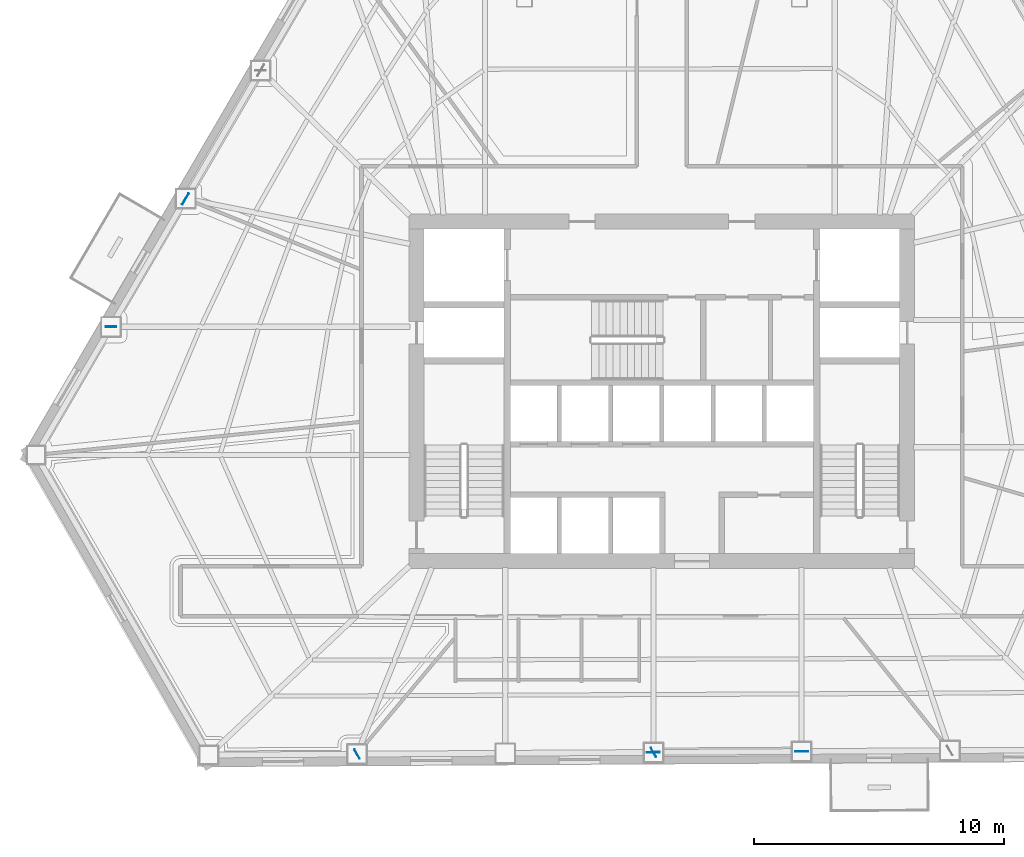
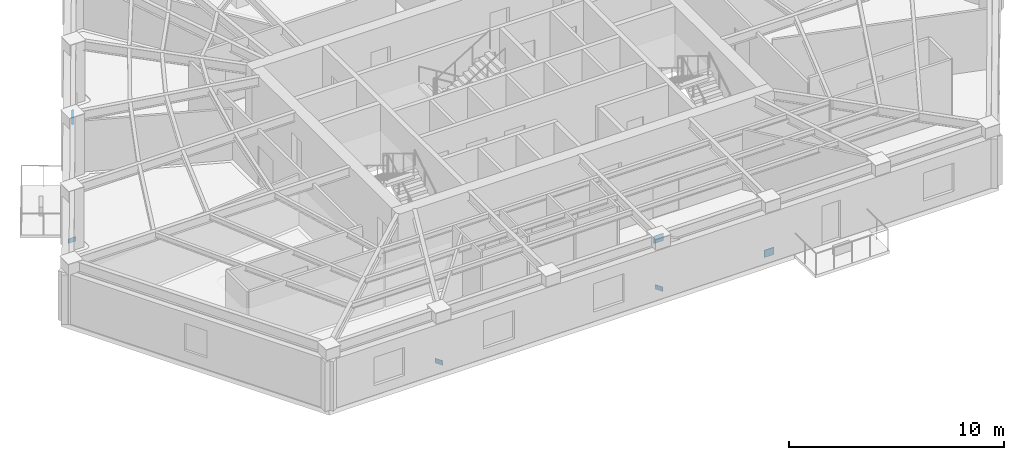
# One storey, part 4 of 14: 6 plates.
"""IFC4 building model written with IfcOpenShell, lengths in metres."""

from ifc_helpers import new_model, si_unit, direction, frame, origin, origin_2d, place, context, subcontext, project, spatial, rectangle, extrude, material, layer, layer_set, type_object, element, save


model = new_model("IFC4")

# Units and contexts
model_context = context("Model", 3, precision=1e-05, world=origin(), true_north=direction((0.0, 1.0)))
body_context = subcontext(model_context, "Body", "Model", "MODEL_VIEW")
ifc_project = project(units=[si_unit("LENGTHUNIT", "METRE"), si_unit("AREAUNIT", "SQUARE_METRE"), si_unit("VOLUMEUNIT", "CUBIC_METRE"), si_unit("PLANEANGLEUNIT", "RADIAN"), si_unit("MASSUNIT", "GRAM", prefix="KILO")], contexts=[model_context])

# Site, building, storey
site_placement = place(None, origin())
site = spatial("IfcSite", under=ifc_project, at=site_placement, CompositionType="ELEMENT")
building_placement = place(site_placement, origin())
building = spatial("IfcBuilding", under=site, at=building_placement, Name="Kavelnor Concourse Tower", CompositionType="ELEMENT")
storey_placement = place(building_placement, frame((0.0, 0.0, 71.449951171875)))
storey = spatial("IfcBuildingStorey", under=building, at=storey_placement, Name="L18", CompositionType="ELEMENT", Elevation=71.449951171875)

# Plates
ifc_material = material(Name="Steel Grade 350", Category="steel")
ifc_layer_1 = layer(ifc_material, 0.031982421875, Name="Steel Grade 350")
ifc_layer_set_1 = layer_set([ifc_layer_1], Name="Steel Grade 350")
plate_type_1 = type_object("IfcPlateType", Name="PL-GUSSET-TUBE-Z1", PredefinedType="USERDEFINED", material=ifc_layer_set_1)
for number, where, z_axis, x_axis, name in (
    (1, (18.9345703125, 23.800048828125, 2.9140625), (0.0, 0.0, 1.0), (-0.50437692518, -0.863483594138, 0.0), "L18 Tube Brace Gusset GP3 F0-B3 End Gusset B"),
    (2, (43.6064453125, 1.682373046875, 0.010009765625), (0.0, 0.0, 1.0), (-0.999982393165, -0.00593408463, 0.0), "L18 Tube Brace Gusset GP3 F1-B3 End Gusset A"),
    (3, (37.651123046875, 1.646728515625, 2.9140625), (0.0, 0.0, 1.0), (-0.999982393165, -0.00593408463, 0.0), "L18 Tube Brace Gusset GP3 F1-B3 End Gusset B"),
):
    element("IfcPlate", number, at=place(storey_placement, frame(where, z_axis=z_axis, x_axis=x_axis)), inside=storey, type_object=plate_type_1, Name=name, ObjectType="GUSSET_PLATE", PredefinedType="USERDEFINED", context=body_context, shape_type="SweptSolid", body=[
        extrude(rectangle(XDim=0.52001953125, YDim=0.031982421875, at=origin_2d()), origin(), (0.0, 0.0, 1.0), 0.419921875),
    ])
ifc_layer_2 = layer(ifc_material, 0.02490234375, Name="Steel Grade 350")
ifc_layer_set_2 = layer_set([ifc_layer_2], Name="Steel Grade 350")
plate_type_2 = type_object("IfcPlateType", Name="PL-SPLICE-FLANGE", PredefinedType="SHEET", material=ifc_layer_set_2)
for number, where, z_axis, x_axis, name in (
    (4, (15.944091796875, 18.681396484375, 0.169921875), (0.0, 0.0, 1.0), (1.0, 0.0, 0.0), "L18 Column Flange Splice Plate F0-B5"),
    (5, (25.80029296875, 1.576171875, 0.169921875), (0.0, 0.0, 1.0), (-0.5, 0.866025403784, 0.0), "L18 Column Flange Splice Plate F1-B1"),
    (6, (37.6630859375, 1.646728515625, 0.169921875), (0.0, 0.0, 1.0), (-0.5, 0.866025403784, 0.0), "L18 Column Flange Splice Plate F1-B3"),
):
    element("IfcPlate", number, at=place(storey_placement, frame(where, z_axis=z_axis, x_axis=x_axis)), inside=storey, type_object=plate_type_2, Name=name, PredefinedType="SHEET", context=body_context, shape_type="SweptSolid", body=[
        extrude(rectangle(XDim=0.419921875, YDim=0.02490234375, at=origin_2d()), origin(), (0.0, 0.0, 1.0), 0.260009765625),
    ])

save(model, "model.ifc")
